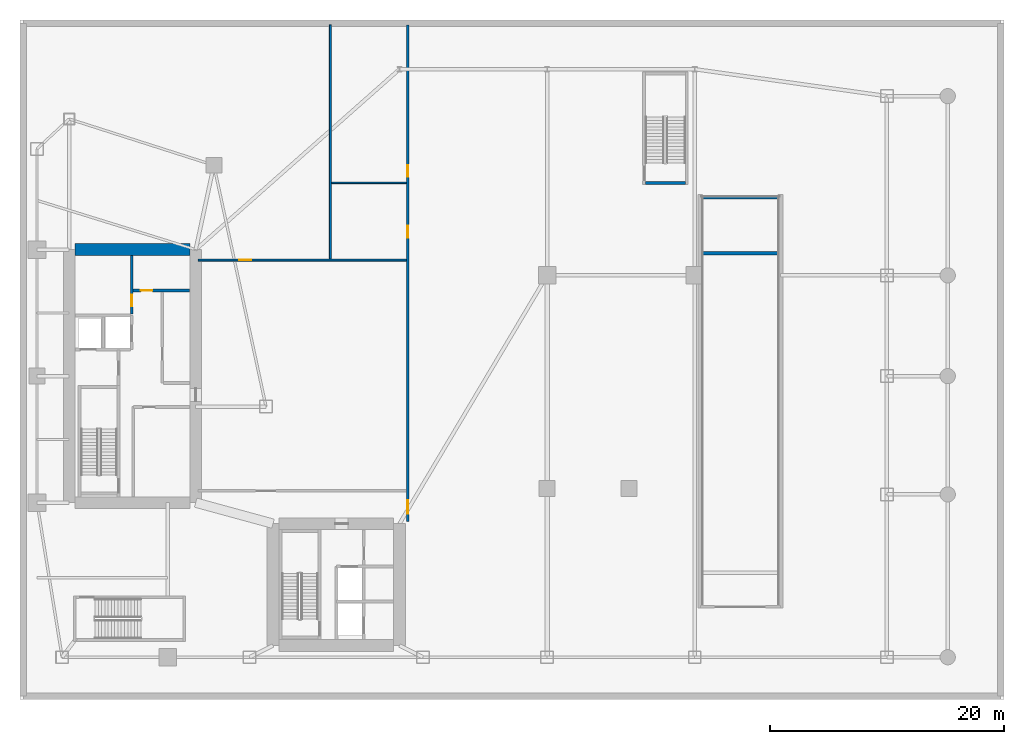
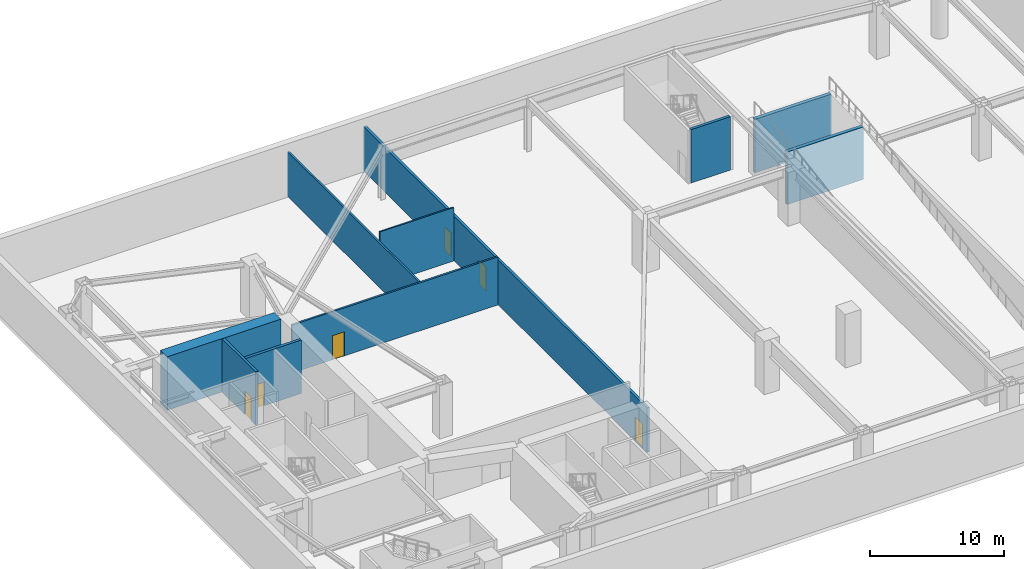
# One storey, part 7 of 13: 10 walls, 6 doors, 6 openings.
"""IFC4 building model written with IfcOpenShell, lengths in metres."""

from ifc_helpers import new_model, si_unit, direction, frame, frame_2d, origin, place, context, subcontext, project, spatial, rectangle, extrude, material, layer, layer_set, type_object, element, fill, save


model = new_model("IFC4")

# Units and contexts
model_context = context("Model", 3, precision=1e-05, world=origin(), true_north=direction((0.0, 1.0)))
body_context = subcontext(model_context, "Body", "Model", "MODEL_VIEW")
ifc_project = project(units=[si_unit("LENGTHUNIT", "METRE"), si_unit("AREAUNIT", "SQUARE_METRE"), si_unit("VOLUMEUNIT", "CUBIC_METRE"), si_unit("PLANEANGLEUNIT", "RADIAN"), si_unit("MASSUNIT", "GRAM", prefix="KILO")], contexts=[model_context])

# Site, building, storey
site_placement = place(None, origin())
site = spatial("IfcSite", under=ifc_project, at=site_placement, CompositionType="ELEMENT")
building_placement = place(site_placement, origin())
building = spatial("IfcBuilding", under=site, at=building_placement, Name="Calvorn Quay Hotel", CompositionType="ELEMENT")
storey_placement = place(building_placement, frame((0.0, 0.0, -5.199951171875)))
storey = spatial("IfcBuildingStorey", under=building, at=storey_placement, Name="B1", CompositionType="ELEMENT", Elevation=-5.199951171875)

# Walls
ifc_material_1 = material(Name="Concrete C60", Category="concrete")
ifc_layer_1 = layer(ifc_material_1, 1.0)
ifc_layer_set_1 = layer_set([ifc_layer_1], Name="WL-CORE-1000")
wall_type_1 = type_object("IfcWallType", Name="WL-CORE-1000", PredefinedType="SHEAR", material=ifc_layer_set_1)
wall_1_placement = place(storey_placement, frame((4.699951171875, 38.39990234375, 0.0), z_axis=(0.0, 0.0, 1.0), x_axis=(1.0, 0.0, 0.0)))
element("IfcWall", 1, at=wall_1_placement, inside=storey, type_object=wall_type_1, Name="West Core Shear Wall N (B1)", PredefinedType="SHEAR", context=body_context, shape_type="SweptSolid", body=[
    extrude(rectangle(XDim=9.800048828125, YDim=1.0, at=frame_2d((4.89990234375, 0.0))), origin(), (0.0, 0.0, 1.0), 4.8798828125),
])
ifc_material_2 = material(Name="Moisture-Resistant Tile-Backed Partition")
ifc_layer_2 = layer(ifc_material_2, 0.125)
ifc_layer_set_2 = layer_set([ifc_layer_2], Name="WL-ENSUITE-125")
wall_type_2 = type_object("IfcWallType", Name="WL-ENSUITE-125", PredefinedType="PARTITIONING", material=ifc_layer_set_2)
wall_2_placement = place(storey_placement, frame((26.60009765625, 44.10009765625, 0.0), z_axis=(0.0, 0.0, 1.0), x_axis=(1.0, 0.0, 0.0)))
element("IfcWall", 2, at=wall_2_placement, inside=storey, type_object=wall_type_2, Name="Partition Wall B1-WL-B1-WC-N", PredefinedType="PARTITIONING", context=body_context, shape_type="SweptSolid", body=[
    extrude(rectangle(XDim=6.3798828125, YDim=0.125, at=frame_2d((3.18994140625, 0.0))), origin(), (0.0, 0.0, 1.0), 4.8798828125),
])

# Wall, opening, door
ifc_material_3 = material(Name="Double-Stud Acoustic Gypsum Partition")
ifc_layer_3 = layer(ifc_material_3, 0.159912109375)
ifc_layer_set_3 = layer_set([ifc_layer_3], Name="WL-INTERSUITE-160")
wall_type_3 = type_object("IfcWallType", Name="WL-INTERSUITE-160", PredefinedType="PARTITIONING", material=ifc_layer_set_3)
wall_3_placement = place(storey_placement, frame((15.199951171875, 37.5, 0.0), z_axis=(0.0, 0.0, 1.0), x_axis=(1.0, 0.0, 0.0)))
wall_3 = element("IfcWall", 3, at=wall_3_placement, inside=storey, type_object=wall_type_3, Name="Partition Wall B1-WL-B1-LN-N", PredefinedType="PARTITIONING", context=body_context, shape_type="SweptSolid", body=[
    extrude(rectangle(XDim=17.780029296875, YDim=0.159912109375, at=frame_2d((8.89013671875, 0.0))), origin(), (0.0, 0.0, 1.0), 4.3798828125),
])
opening_1_placement = place(wall_3_placement, frame((3.5, 0.0, 0.0)))
opening_1 = element("IfcOpeningElement", 4, at=opening_1_placement, cuts=wall_3, Name="Opening D-B1-05", PredefinedType="OPENING", context=body_context, shape_type="SweptSolid", body=[
    extrude(rectangle(XDim=1.02001953125, YDim=2.199951171875, at=frame_2d((0.510009765625, 1.10009765625))), frame((0.0, 0.08984375, 0.0), z_axis=(0.0, -1.0, 0.0), x_axis=(1.0, 0.0, 0.0)), (0.0, 0.0, 1.0), 0.179931640625),
])
ifc_material_4 = material(Name="Solid-Core Walnut Veneer Hotel Fire Door")
door_type_1 = type_object("IfcDoorType", Name="DR-GUEST-ENTRY-1020", OperationType="NOTDEFINED", PredefinedType="DOOR", material=ifc_material_4)
door_1_placement = place(opening_1_placement, origin())
door_1 = element("IfcDoor", 5, at=door_1_placement, inside=storey, type_object=door_type_1, Name="Staff Locker Door", OperationType="SINGLE_SWING_RIGHT", OverallHeight=2.199951171875, OverallWidth=1.02001953125, PredefinedType="DOOR", context=body_context, shape_type="SweptSolid", body=[
    extrude(rectangle(XDim=1.02001953125, YDim=2.199951171875, at=frame_2d((0.510009765625, 1.10009765625))), frame((0.0, 0.02490234375, 0.0), z_axis=(0.0, -1.0, 0.0), x_axis=(1.0, 0.0, 0.0)), (0.0, 0.0, 1.0), 0.050048828125),
])
fill(opening_1, door_1)

# Wall
wall_4_placement = place(storey_placement, frame((26.5, 37.60009765625, 0.0), z_axis=(0.0, 0.0, 1.0), x_axis=(0.0, 1.0, 0.0)))
element("IfcWall", 6, at=wall_4_placement, inside=storey, type_object=wall_type_3, Name="Partition Wall B1-WL-B1-LK-E", PredefinedType="PARTITIONING", context=body_context, shape_type="SweptSolid", body=[
    extrude(rectangle(XDim=19.97998046875, YDim=0.159912109375, at=frame_2d((9.989990234375, 0.0))), origin(), (0.0, 0.0, 1.0), 4.079833984375),
])

# Wall, opening, door
ifc_material_5 = material(Name="Autoclaved Aerated Masonry Block", Category="masonry")
ifc_layer_4 = layer(ifc_material_5, 0.219970703125)
ifc_layer_set_4 = layer_set([ifc_layer_4], Name="WL-LOBBY-FIRE-220")
wall_type_4 = type_object("IfcWallType", Name="WL-LOBBY-FIRE-220", PredefinedType="SOLIDWALL", material=ifc_layer_set_4)
wall_5_placement = place(storey_placement, frame((9.5400390625, 32.919921875, 0.0), z_axis=(0.0, 0.0, 1.0), x_axis=(0.0, 1.0, 0.0)))
wall_5 = element("IfcWall", 7, at=wall_5_placement, inside=storey, type_object=wall_type_4, Name="Partition Wall B1-WL-CWW-K-E", PredefinedType="SOLIDWALL", context=body_context, shape_type="SweptSolid", body=[
    extrude(rectangle(XDim=4.9599609375, YDim=0.219970703125, at=frame_2d((2.47998046875, 0.0))), origin(), (0.0, 0.0, 1.0), 4.8798828125),
])
opening_2_placement = place(wall_5_placement, frame((0.64990234375, 0.0, 0.0)))
opening_2 = element("IfcOpeningElement", 8, at=opening_2_placement, cuts=wall_5, Name="Opening D-B1-CK1", PredefinedType="OPENING", context=body_context, shape_type="SweptSolid", body=[
    extrude(rectangle(XDim=0.97998046875, YDim=2.14990234375, at=frame_2d((0.489990234375, 1.074951171875))), frame((0.0, 0.119873046875, 0.0), z_axis=(0.0, -1.0, 0.0), x_axis=(1.0, 0.0, 0.0)), (0.0, 0.0, 1.0), 0.239990234375),
])
ifc_material_6 = material(Name="Painted Steel Housekeeping/Riser Fire Door", Category="steel")
door_type_2 = type_object("IfcDoorType", Name="DR-SERVICE-980", OperationType="NOTDEFINED", PredefinedType="DOOR", material=ifc_material_6)
door_2_placement = place(opening_2_placement, origin())
door_2 = element("IfcDoor", 9, at=door_2_placement, inside=storey, type_object=door_type_2, Name="Core Linen Room Door (B1)", OperationType="SINGLE_SWING_LEFT", OverallHeight=2.14990234375, OverallWidth=0.97998046875, PredefinedType="DOOR", context=body_context, shape_type="SweptSolid", body=[
    extrude(rectangle(XDim=0.97998046875, YDim=2.14990234375, at=frame_2d((0.489990234375, 1.074951171875))), frame((0.0, 0.02490234375, 0.0), z_axis=(0.0, -1.0, 0.0), x_axis=(1.0, 0.0, 0.0)), (0.0, 0.0, 1.0), 0.050048828125),
])
fill(opening_2, door_2)

# Wall, openings, doors
wall_6_placement = place(storey_placement, frame((33.10009765625, 15.199951171875, 0.0), z_axis=(0.0, 0.0, 1.0), x_axis=(0.0, 1.0, 0.0)))
wall_6 = element("IfcWall", 10, at=wall_6_placement, inside=storey, type_object=wall_type_4, Name="Partition Wall B1-WL-B1-CP-W", PredefinedType="SOLIDWALL", context=body_context, shape_type="SweptSolid", body=[
    extrude(rectangle(XDim=42.380126953125, YDim=0.219970703125, at=frame_2d((21.18994140625, 0.0))), origin(), (0.0, 0.0, 1.0), 4.079833984375),
])
opening_3_placement = place(wall_6_placement, frame((0.64990234375, 0.0, 0.0)))
opening_3 = element("IfcOpeningElement", 11, at=opening_3_placement, cuts=wall_6, Name="Opening D-B1-01", PredefinedType="OPENING", context=body_context, shape_type="SweptSolid", body=[
    extrude(rectangle(XDim=1.14990234375, YDim=2.199951171875, at=frame_2d((0.574951171875, 1.10009765625))), frame((0.0, 0.119873046875, 0.0), z_axis=(0.0, -1.0, 0.0), x_axis=(1.0, 0.0, 0.0)), (0.0, 0.0, 1.0), 0.239990234375),
])
opening_4_placement = place(wall_6_placement, frame((24.199951171875, 0.0, 0.0)))
opening_4 = element("IfcOpeningElement", 12, at=opening_4_placement, cuts=wall_6, Name="Opening D-B1-02", PredefinedType="OPENING", context=body_context, shape_type="SweptSolid", body=[
    extrude(rectangle(XDim=1.02001953125, YDim=2.199951171875, at=frame_2d((0.510009765625, 1.10009765625))), frame((0.0, 0.119873046875, 0.0), z_axis=(0.0, -1.0, 0.0), x_axis=(1.0, 0.0, 0.0)), (0.0, 0.0, 1.0), 0.239990234375),
])
opening_5_placement = place(wall_6_placement, frame((29.39990234375, 0.0, 0.0)))
opening_5 = element("IfcOpeningElement", 13, at=opening_5_placement, cuts=wall_6, Name="Opening D-B1-03", PredefinedType="OPENING", context=body_context, shape_type="SweptSolid", body=[
    extrude(rectangle(XDim=0.97998046875, YDim=2.14990234375, at=frame_2d((0.489990234375, 1.074951171875))), frame((0.0, 0.119873046875, 0.0), z_axis=(0.0, -1.0, 0.0), x_axis=(1.0, 0.0, 0.0)), (0.0, 0.0, 1.0), 0.239990234375),
])
door_3_placement = place(opening_4_placement, origin())
door_3 = element("IfcDoor", 14, at=door_3_placement, inside=storey, type_object=door_type_1, Name="Accessible WC Door", OperationType="SINGLE_SWING_RIGHT", OverallHeight=2.199951171875, OverallWidth=1.02001953125, PredefinedType="DOOR", context=body_context, shape_type="SweptSolid", body=[
    extrude(rectangle(XDim=1.02001953125, YDim=2.199951171875, at=frame_2d((0.510009765625, 1.10009765625))), frame((0.0, 0.02490234375, 0.0), z_axis=(0.0, -1.0, 0.0), x_axis=(1.0, 0.0, 0.0)), (0.0, 0.0, 1.0), 0.050048828125),
])
fill(opening_4, door_3)
door_4_placement = place(opening_5_placement, origin())
door_4 = element("IfcDoor", 15, at=door_4_placement, inside=storey, type_object=door_type_2, Name="General Store Door", OperationType="SINGLE_SWING_LEFT", OverallHeight=2.14990234375, OverallWidth=0.97998046875, PredefinedType="DOOR", context=body_context, shape_type="SweptSolid", body=[
    extrude(rectangle(XDim=0.97998046875, YDim=2.14990234375, at=frame_2d((0.489990234375, 1.074951171875))), frame((0.0, 0.02490234375, 0.0), z_axis=(0.0, -1.0, 0.0), x_axis=(1.0, 0.0, 0.0)), (0.0, 0.0, 1.0), 0.050048828125),
])
fill(opening_5, door_4)
ifc_material_7 = material(Name="Galvanised Steel Class A Fire Door", Category="steel")
door_type_3 = type_object("IfcDoorType", Name="DR-STAIR-SMOKE-1150", OperationType="NOTDEFINED", PredefinedType="DOOR", material=ifc_material_7)
door_5_placement = place(opening_3_placement, origin())
door_5 = element("IfcDoor", 16, at=door_5_placement, inside=storey, type_object=door_type_3, Name="Car Park Vestibule Fire Door", OperationType="SINGLE_SWING_LEFT", OverallHeight=2.199951171875, OverallWidth=1.14990234375, PredefinedType="DOOR", context=body_context, shape_type="SweptSolid", body=[
    extrude(rectangle(XDim=1.14990234375, YDim=2.199951171875, at=frame_2d((0.574951171875, 1.10009765625))), frame((0.0, 0.02490234375, 0.0), z_axis=(0.0, -1.0, 0.0), x_axis=(1.0, 0.0, 0.0)), (0.0, 0.0, 1.0), 0.050048828125),
])
fill(opening_3, door_5)

# Walls
ifc_material_8 = material(Name="Concrete C40", Category="concrete")
ifc_layer_5 = layer(ifc_material_8, 0.239990234375)
ifc_layer_set_5 = layer_set([ifc_layer_5], Name="WL-SHAFT-240")
wall_type_5 = type_object("IfcWallType", Name="WL-SHAFT-240", PredefinedType="SOLIDWALL", material=ifc_layer_set_5)
wall_7_placement = place(storey_placement, frame((53.39990234375, 44.080078125, 0.0), z_axis=(0.0, 0.0, 1.0), x_axis=(1.0, 0.0, 0.0)))
element("IfcWall", 17, at=wall_7_placement, inside=storey, type_object=wall_type_5, Name="Stair STP1 Shaft Wall S (B1)", PredefinedType="SOLIDWALL", context=body_context, shape_type="SweptSolid", body=[
    extrude(rectangle(XDim=3.400146484375, YDim=0.239990234375, at=frame_2d((1.7001953125, 0.0))), origin(), (0.0, 0.0, 1.0), 4.8798828125),
])
wall_8_placement = place(storey_placement, frame((58.199951171875, 38.080078125, 0.0), z_axis=(0.0, 0.0, 1.0), x_axis=(1.0, 0.0, 0.0)))
element("IfcWall", 18, at=wall_8_placement, inside=storey, type_object=wall_type_5, Name="Vehicle Ramp Support Pier B1-2", PredefinedType="SOLIDWALL", context=body_context, shape_type="SweptSolid", body=[
    extrude(rectangle(XDim=6.60009765625, YDim=0.300048828125, at=frame_2d((3.300048828125, 0.0))), origin(), (0.0, 0.0, 1.0), 4.800048828125),
])
wall_9_placement = place(storey_placement, frame((58.199951171875, 42.8798828125, 0.0), z_axis=(0.0, 0.0, 1.0), x_axis=(1.0, 0.0, 0.0)))
element("IfcWall", 19, at=wall_9_placement, inside=storey, type_object=wall_type_5, Name="Vehicle Ramp Support Pier B1-3", PredefinedType="SOLIDWALL", context=body_context, shape_type="SweptSolid", body=[
    extrude(rectangle(XDim=6.60009765625, YDim=0.300048828125, at=frame_2d((3.300048828125, 0.0))), origin(), (0.0, 0.0, 1.0), 4.8798828125),
])

# Wall, opening, door
wall_10_placement = place(storey_placement, frame((9.659912109375, 34.89990234375, 0.0), z_axis=(0.0, 0.0, 1.0), x_axis=(1.0, 0.0, 0.0)))
wall_10 = element("IfcWall", 20, at=wall_10_placement, inside=storey, type_object=wall_type_5, Name="Partition Wall B1-WL-CWW-PLH-S", PredefinedType="SOLIDWALL", context=body_context, shape_type="SweptSolid", body=[
    extrude(rectangle(XDim=4.820068359375, YDim=0.239990234375, at=frame_2d((2.41015625, 0.0))), origin(), (0.0, 0.0, 1.0), 4.8798828125),
])
opening_6_placement = place(wall_10_placement, frame((0.64990234375, 0.0, 0.0)))
opening_6 = element("IfcOpeningElement", 21, at=opening_6_placement, cuts=wall_10, Name="Opening D-B1-BHP", PredefinedType="OPENING", context=body_context, shape_type="SweptSolid", body=[
    extrude(rectangle(XDim=0.97998046875, YDim=2.14990234375, at=frame_2d((0.489990234375, 1.074951171875))), frame((0.0, 0.1298828125, 0.0), z_axis=(0.0, -1.0, 0.0), x_axis=(1.0, 0.0, 0.0)), (0.0, 0.0, 1.0), 0.260009765625),
])
door_6_placement = place(opening_6_placement, origin())
door_6 = element("IfcDoor", 22, at=door_6_placement, inside=storey, type_object=door_type_2, Name="High-Rise Pit Door (B1)", OperationType="SINGLE_SWING_LEFT", OverallHeight=2.14990234375, OverallWidth=0.97998046875, PredefinedType="DOOR", context=body_context, shape_type="SweptSolid", body=[
    extrude(rectangle(XDim=0.97998046875, YDim=2.14990234375, at=frame_2d((0.489990234375, 1.074951171875))), frame((0.0, 0.02490234375, 0.0), z_axis=(0.0, -1.0, 0.0), x_axis=(1.0, 0.0, 0.0)), (0.0, 0.0, 1.0), 0.050048828125),
])
fill(opening_6, door_6)

save(model, "model.ifc")
